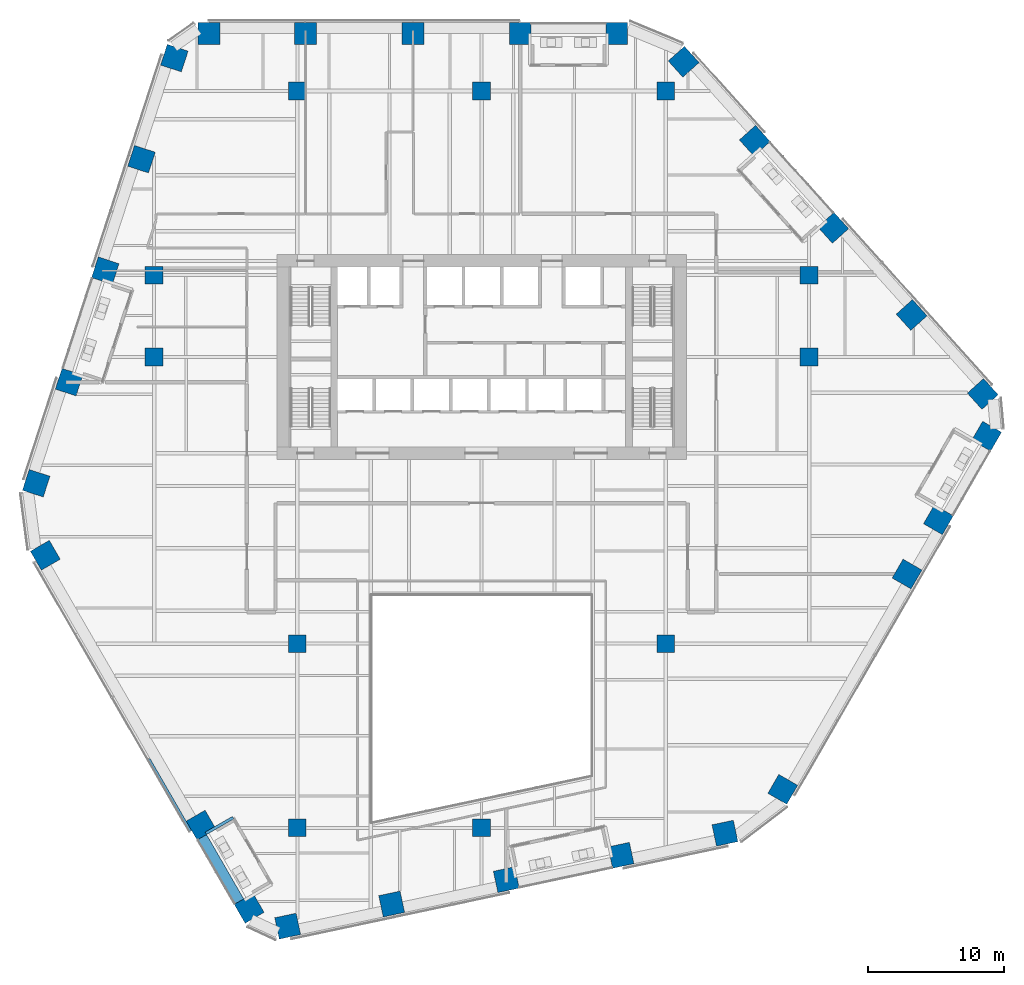
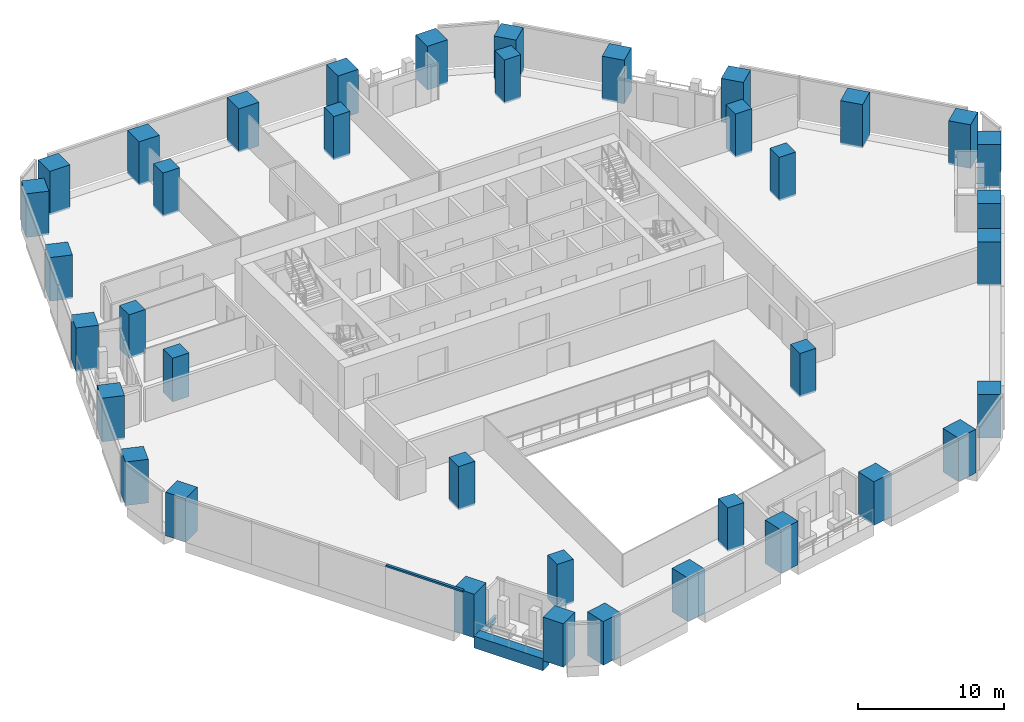
# One storey, part 1 of 28: 38 columns, 2 beams, 1 member, 1 element without a shape of its own.
"""IFC4 building model written with IfcOpenShell, lengths in metres."""

from ifc_helpers import new_model, si_unit, direction, frame, origin, origin_2d, place, context, subcontext, project, spatial, rectangle, i_section, extrude, material, layer, layer_set, material_profile, profile_set, type_object, element, aggregate, save


model = new_model("IFC4")

# Units and contexts
model_context = context("Model", 3, precision=1e-05, world=origin(), true_north=direction((0.0, 1.0)))
body_context = subcontext(model_context, "Body", "Model", "MODEL_VIEW")
ifc_project = project(units=[si_unit("LENGTHUNIT", "METRE"), si_unit("AREAUNIT", "SQUARE_METRE"), si_unit("VOLUMEUNIT", "CUBIC_METRE"), si_unit("PLANEANGLEUNIT", "RADIAN"), si_unit("MASSUNIT", "GRAM", prefix="KILO")], contexts=[model_context])

# Site, building, storey
site_placement = place(None, origin())
site = spatial("IfcSite", under=ifc_project, at=site_placement, CompositionType="ELEMENT")
building_placement = place(site_placement, origin())
building = spatial("IfcBuilding", under=site, at=building_placement, Name="Isthmus Gate Tower", CompositionType="ELEMENT")
storey_placement = place(building_placement, frame((0.0, 0.0, 98.89990234375)))
storey = spatial("IfcBuildingStorey", under=building, at=storey_placement, Name="L23", CompositionType="ELEMENT", Elevation=98.89990234375)

# Columns
ifc_material_1 = material(Name="Concrete f'c 70 MPa", Category="concrete")
ifc_material_profile_1 = material_profile(ifc_material_1, rectangle(XDim=1.300048828125, YDim=1.300048828125, at=origin_2d()), Name="RC 1300X1300")
ifc_profile_set_1 = profile_set([ifc_material_profile_1], Name="Concrete f'c 70 MPa")
column_type_1 = type_object("IfcColumnType", Name="RC INTERIOR COLUMN 1300 X 1300", PredefinedType="COLUMN", material=ifc_profile_set_1)
for number, where, z_axis, x_axis, name in (
    (1, (-24.0, 7.5, -0.14990234375), (0.0, 0.0, 1.0), (1.0, 0.0, 0.0), "str-icol-L23-ICA3"),
    (2, (-24.0, 13.5, -0.14990234375), (0.0, 0.0, 1.0), (1.0, 0.0, 0.0), "str-icol-L23-ICA4"),
    (3, (-13.5, -27.0, -0.14990234375), (0.0, 0.0, 1.0), (1.0, 0.0, 0.0), "str-icol-L23-ICB1"),
    (4, (-13.5, -13.5, -0.14990234375), (0.0, 0.0, 1.0), (1.0, 0.0, 0.0), "str-icol-L23-ICB2"),
    (5, (-13.5, 27.0, -0.14990234375), (0.0, 0.0, 1.0), (1.0, 0.0, 0.0), "str-icol-L23-ICB5"),
    (6, (0.0, -27.0, -0.14990234375), (0.0, 0.0, 1.0), (1.0, 0.0, 0.0), "str-icol-L23-ICC1"),
    (7, (0.0, 27.0, -0.14990234375), (0.0, 0.0, 1.0), (1.0, 0.0, 0.0), "str-icol-L23-ICC5"),
    (8, (13.5, -13.5, -0.14990234375), (0.0, 0.0, 1.0), (1.0, 0.0, 0.0), "str-icol-L23-ICD2"),
    (9, (13.5, 27.0, -0.14990234375), (0.0, 0.0, 1.0), (1.0, 0.0, 0.0), "str-icol-L23-ICD5"),
    (10, (24.0, 7.5, -0.14990234375), (0.0, 0.0, 1.0), (1.0, 0.0, 0.0), "str-icol-L23-ICE3"),
    (11, (24.0, 13.5, -0.14990234375), (0.0, 0.0, 1.0), (1.0, 0.0, 0.0), "str-icol-L23-ICE4"),
):
    element("IfcColumn", number, at=place(storey_placement, frame(where, z_axis=z_axis, x_axis=x_axis)), inside=storey, type_object=column_type_1, Name=name, PredefinedType="COLUMN", context=body_context, shape_type="SweptSolid", body=[
        extrude(rectangle(XDim=1.300048828125, YDim=1.300048828125, at=origin_2d()), origin(), (0.0, 0.0, 1.0), 3.64990234375),
    ])
ifc_material_2 = material(Name="Concrete f'c 70 MPa", Category="concrete")
ifc_material_profile_2 = material_profile(ifc_material_2, rectangle(XDim=1.60009765625, YDim=1.60009765625, at=origin_2d()), Name="RC 1600X1600")
ifc_profile_set_2 = profile_set([ifc_material_profile_2], Name="Concrete f'c 70 MPa")
column_type_2 = type_object("IfcColumnType", Name="RC TUBE COLUMN 1600 X 1600", PredefinedType="COLUMN", material=ifc_profile_set_2)
for number, where, z_axis, x_axis, name in (
    (12, (9.90185546875, 31.199951171875, -0.14990234375), (0.0, 0.0, 1.0), (-1.0, 0.0, 0.0), "str-tcol-L23-T1N0"),
    (13, (2.832275390625, 31.199951171875, -0.14990234375), (0.0, 0.0, 1.0), (-1.0, 0.0, 0.0), "str-tcol-L23-T1N1"),
    (14, (-5.037109375, 31.199951171875, -0.14990234375), (0.0, 0.0, 1.0), (-1.0, 0.0, 0.0), "str-tcol-L23-T1N2"),
    (15, (-12.90673828125, 31.199951171875, -0.14990234375), (0.0, 0.0, 1.0), (-1.0, 0.0, 0.0), "str-tcol-L23-T1N3"),
    (16, (-19.976318359375, 31.199951171875, -0.14990234375), (0.0, 0.0, 1.0), (-1.0, 0.0, 0.0), "str-tcol-L23-T1N4"),
    (17, (-22.515380859375, 29.406982421875, -0.14990234375), (0.0, 0.0, 1.0), (-0.309016994375, -0.951056516295, 0.0), "str-tcol-L23-T1NW0"),
    (18, (-24.922607421875, 21.998779296875, -0.14990234375), (0.0, 0.0, 1.0), (-0.309016994375, -0.951056516295, 0.0), "str-tcol-L23-T1NW1"),
    (19, (-27.57666015625, 13.829833984375, -0.14990234375), (0.0, 0.0, 1.0), (-0.309016994375, -0.951056516295, 0.0), "str-tcol-L23-T1NW2"),
    (20, (-30.23095703125, 5.660888671875, -0.14990234375), (0.0, 0.0, 1.0), (-0.309016994375, -0.951056516295, 0.0), "str-tcol-L23-T1NW3"),
    (21, (-32.63818359375, -1.747314453125, -0.14990234375), (0.0, 0.0, 1.0), (-0.309016994375, -0.951056516295, 0.0), "str-tcol-L23-T1NW4"),
    (22, (-31.970947265625, -7.024658203125, -0.14990234375), (0.0, 0.0, 1.0), (0.5, -0.866025403784, 0.0), "str-tcol-L23-T1SW0"),
    (23, (-20.5537109375, -26.800048828125, -0.14990234375), (0.0, 0.0, 1.0), (0.5, -0.866025403784, 0.0), "str-tcol-L23-T1SW2"),
    (24, (-17.031982421875, -32.89990234375, -0.14990234375), (0.0, 0.0, 1.0), (0.5, -0.866025403784, 0.0), "str-tcol-L23-T1SW3"),
    (25, (-14.20947265625, -34.202392578125, -0.14990234375), (0.0, 0.0, 1.0), (0.978147600734, 0.207911690818, 0.0), "str-tcol-L23-T1S0"),
    (26, (-6.59033203125, -32.5830078125, -0.14990234375), (0.0, 0.0, 1.0), (0.978147600734, 0.207911690818, 0.0), "str-tcol-L23-T1S1"),
    (27, (1.811279296875, -30.797119140625, -0.14990234375), (0.0, 0.0, 1.0), (0.978147600734, 0.207911690818, 0.0), "str-tcol-L23-T1S2"),
    (28, (10.213134765625, -29.01123046875, -0.14990234375), (0.0, 0.0, 1.0), (0.978147600734, 0.207911690818, 0.0), "str-tcol-L23-T1S3"),
    (29, (17.832275390625, -27.391845703125, -0.14990234375), (0.0, 0.0, 1.0), (0.978147600734, 0.207911690818, 0.0), "str-tcol-L23-T1S4"),
    (30, (22.069091796875, -24.17529296875, -0.14990234375), (0.0, 0.0, 1.0), (0.5, 0.866025403784, 0.0), "str-tcol-L23-T1SE0"),
    (31, (31.177001953125, -8.39990234375, -0.14990234375), (0.0, 0.0, 1.0), (0.5, 0.866025403784, 0.0), "str-tcol-L23-T1SE1"),
    (32, (33.473388671875, -4.42236328125, -0.14990234375), (0.0, 0.0, 1.0), (0.5, 0.866025403784, 0.0), "str-tcol-L23-T1SE2"),
    (33, (37.008056640625, 1.699951171875, -0.14990234375), (0.0, 0.0, 1.0), (0.5, 0.866025403784, 0.0), "str-tcol-L23-T1SE3"),
    (34, (36.724853515625, 4.79541015625, -0.14990234375), (0.0, 0.0, 1.0), (-0.669130606359, 0.743144825477, 0.0), "str-tcol-L23-T1NE0"),
    (35, (31.5126953125, 10.584228515625, -0.14990234375), (0.0, 0.0, 1.0), (-0.669130606359, 0.743144825477, 0.0), "str-tcol-L23-T1NE1"),
    (36, (25.765380859375, 16.96728515625, -0.14990234375), (0.0, 0.0, 1.0), (-0.669130606359, 0.743144825477, 0.0), "str-tcol-L23-T1NE2"),
    (37, (20.01806640625, 23.350341796875, -0.14990234375), (0.0, 0.0, 1.0), (-0.669130606359, 0.743144825477, 0.0), "str-tcol-L23-T1NE3"),
    (38, (14.805908203125, 29.138916015625, -0.14990234375), (0.0, 0.0, 1.0), (-0.669130606359, 0.743144825477, 0.0), "str-tcol-L23-T1NE4"),
):
    element("IfcColumn", number, at=place(storey_placement, frame(where, z_axis=z_axis, x_axis=x_axis)), inside=storey, type_object=column_type_2, Name=name, PredefinedType="COLUMN", context=body_context, shape_type="SweptSolid", body=[
        extrude(rectangle(XDim=1.60009765625, YDim=1.60009765625, at=origin_2d()), origin(), (0.0, 0.0, 1.0), 3.64990234375),
    ])

# Curtain wall, member
ifc_material_3 = material(Name="Aluminium, pale champagne anodised", Category="aluminium")
ifc_layer = layer(ifc_material_3, 0.199951171875)
ifc_layer_set = layer_set([ifc_layer], Name="CW-1 UNITISED CURTAIN WALL 200 DEEP")
curtain_wall_type = type_object("IfcCurtainWallType", Name="CW-1 UNITISED CURTAIN WALL 200 DEEP", PredefinedType="NOTDEFINED", material=ifc_layer_set)
curtain_wall_placement = place(storey_placement, origin())
curtain_wall = element("IfcCurtainWall", 39, at=curtain_wall_placement, inside=storey, type_object=curtain_wall_type, Name="CW-1 SW L23", PredefinedType="NOTDEFINED")
ifc_material_4 = material(Name="Aluminium, pale champagne anodised", Category="aluminium")
ifc_material_profile_3 = material_profile(ifc_material_4, rectangle(XDim=0.199951171875, YDim=0.14990234375, at=origin_2d()), Name="200x150")
ifc_profile_set_3 = profile_set([ifc_material_profile_3], Name="Aluminium, pale champagne anodised")
member_type = type_object("IfcMemberType", Name="CW-1 TRANSOM 200 X 150", PredefinedType="USERDEFINED", material=ifc_profile_set_3)
member_placement = place(storey_placement, frame((-24.387451171875, -21.959716796875, 3.5751953125), z_axis=(0.500011900272, -0.86601853305, 0.0), x_axis=(0.86601853305, 0.500011900272, 0.0)))
member = element("IfcMember", 40, at=member_placement, type_object=member_type, Name="CW-1 transom", ObjectType="TRANSOM", PredefinedType="USERDEFINED", context=body_context, shape_type="SweptSolid", body=[
    extrude(rectangle(XDim=0.199951171875, YDim=0.14990234375, at=origin_2d()), origin(), (0.0, 0.0, 1.0), 6.108642578125),
])
aggregate(curtain_wall, [member])

# Beams
ifc_material_5 = material(Name="Concrete f'c 70 MPa", Category="concrete")
ifc_material_profile_4 = material_profile(ifc_material_5, rectangle(XDim=0.800048828125, YDim=1.0, at=origin_2d()), Name="RC 800X1000")
ifc_profile_set_4 = profile_set([ifc_material_profile_4], Name="Concrete f'c 70 MPa")
beam_type_1 = type_object("IfcBeamType", Name="RC SPANDREL 800 X 1000", PredefinedType="SPANDREL", material=ifc_profile_set_4)
beam_1_placement = place(storey_placement, frame((-17.7783203125, -32.406982421875, -0.5), z_axis=(-0.499998104561, 0.866026498114, 0.0), x_axis=(-0.866026498114, -0.499998104561, 0.0)))
element("IfcBeam", 41, at=beam_1_placement, inside=storey, type_object=beam_type_1, Name="str-spandrel-L23-15", PredefinedType="SPANDREL", context=body_context, shape_type="SweptSolid", body=[
    extrude(rectangle(XDim=0.800048828125, YDim=1.0, at=origin_2d()), origin(), (0.0, 0.0, 1.0), 5.443359375),
])
ifc_material_6 = material(Name="Structural steel ASTM A992 Gr 50", Category="steel")
ifc_material_profile_5 = material_profile(ifc_material_6, i_section(OverallWidth=0.20947265625, OverallDepth=0.533447265625, WebThickness=0.009521484375, FlangeThickness=0.015869140625, at=origin_2d()), Name="W21X62")
ifc_profile_set_5 = profile_set([ifc_material_profile_5], Name="Structural steel ASTM A992 Gr 50")
beam_type_2 = type_object("IfcBeamType", Name="STEEL TRIMMER W21X62", PredefinedType="BEAM", material=ifc_profile_set_5)
beam_2_placement = place(storey_placement, frame((-20.2060546875, -27.402099609375, -0.41650390625), z_axis=(0.866044474677, 0.49996696679, 0.0), x_axis=(-0.49996696679, 0.866044474677, 0.0)))
element("IfcBeam", 42, at=beam_2_placement, inside=storey, type_object=beam_type_2, Name="str-loggiatrim-L23-03-A", PredefinedType="BEAM", context=body_context, shape_type="SweptSolid", body=[
    extrude(i_section(OverallWidth=0.20947265625, OverallDepth=0.533447265625, WebThickness=0.009521484375, FlangeThickness=0.015869140625, at=origin_2d()), origin(), (0.0, 0.0, 1.0), 2.304931640625),
])

save(model, "model.ifc")
